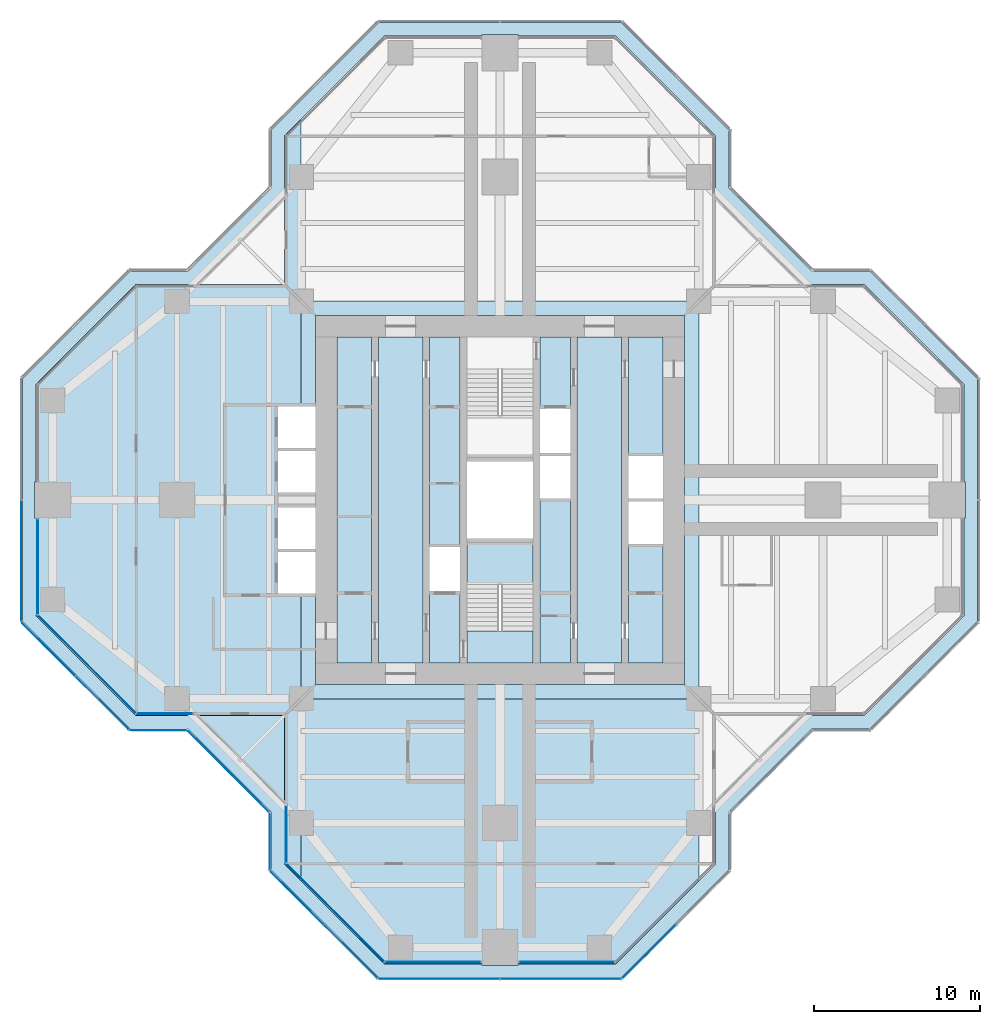
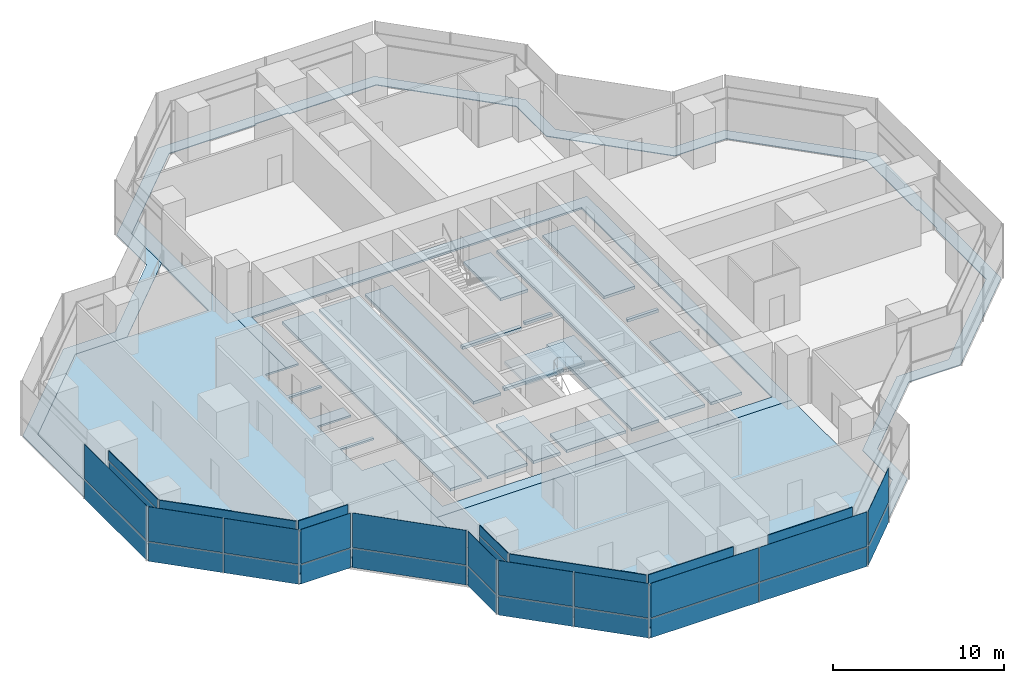
# One storey, part 10 of 17: 37 plates, 7 slabs, 16 elements without a shape of their own.
"""IFC4 building model written with IfcOpenShell, lengths in metres."""

from ifc_helpers import new_model, si_unit, direction, frame, origin, origin_2d, place, context, subcontext, project, spatial, polyline, rectangle, outline, extrude, material, layer, layer_set, type_object, element, aggregate, save


model = new_model("IFC4")

# Units and contexts
model_context = context("Model", 3, precision=1e-05, world=origin(), true_north=direction((0.0, 1.0)))
body_context = subcontext(model_context, "Body", "Model", "MODEL_VIEW")
ifc_project = project(units=[si_unit("LENGTHUNIT", "METRE"), si_unit("AREAUNIT", "SQUARE_METRE"), si_unit("VOLUMEUNIT", "CUBIC_METRE"), si_unit("PLANEANGLEUNIT", "RADIAN"), si_unit("MASSUNIT", "GRAM", prefix="KILO")], contexts=[model_context])

# Site, building, storey
site_placement = place(None, origin())
site = spatial("IfcSite", under=ifc_project, at=site_placement, CompositionType="ELEMENT")
building_placement = place(site_placement, origin())
building = spatial("IfcBuilding", under=site, at=building_placement, Name="Mizan Broadcast Tower", CompositionType="ELEMENT")
storey_placement = place(building_placement, frame((0.0, 0.0, 224.39990234375)))
storey = spatial("IfcBuildingStorey", under=building, at=storey_placement, Name="L52", CompositionType="ELEMENT", Elevation=224.39990234375)

# Plate
ifc_material_1 = material(Name="Aluminium grating", Category="aluminium")
ifc_layer_1 = layer(ifc_material_1, 0.050048828125)
ifc_layer_set_1 = layer_set([ifc_layer_1], Name="Aluminium grating")
plate_type_1 = type_object("IfcPlateType", Name="CAVITY GRATING", PredefinedType="USERDEFINED", material=ifc_layer_set_1)
plate_1_placement = place(storey_placement, frame((0.0, 0.0, -0.0498046875)))
element("IfcPlate", 1, at=plate_1_placement, inside=storey, type_object=plate_type_1, Name="Cavity grating L52", ObjectType="GRATING", PredefinedType="USERDEFINED", context=body_context, shape_type="SweptSolid", body=[
    extrude(outline(polyline([(13.820068359375, -18.839599609375), (18.839599609375, -13.820068359375), (22.339599609375, -13.820068359375), (28.820068359375, -7.339599609375), (28.820068359375, 7.339599609375), (22.339599609375, 13.820068359375), (18.839599609375, 13.820068359375), (13.820068359375, 18.839599609375), (13.820068359375, 22.339599609375), (7.339599609375, 28.820068359375), (-7.339599609375, 28.820068359375), (-13.820068359375, 22.339599609375), (-13.820068359375, 18.839599609375), (-18.839599609375, 13.820068359375), (-22.339599609375, 13.820068359375), (-28.820068359375, 7.339599609375), (-28.820068359375, -7.339599609375), (-22.339599609375, -13.820068359375), (-18.839599609375, -13.820068359375), (-13.820068359375, -18.839599609375), (-13.820068359375, -22.339599609375), (-7.339599609375, -28.820068359375), (7.339599609375, -28.820068359375), (13.820068359375, -22.339599609375), (13.820068359375, -18.839599609375)]), holes=[polyline([(28.0, -1.10009765625), (28.0, -7.0), (22.0, -13.0), (18.5, -13.0), (13.0, -18.5), (13.0, -22.0), (7.0, -28.0), (1.10009765625, -28.0), (1.10009765625, -28.10009765625), (-1.10009765625, -28.10009765625), (-1.10009765625, -28.0), (-7.0, -28.0), (-13.0, -22.0), (-13.0, -18.5), (-18.5, -13.0), (-22.0, -13.0), (-28.0, -7.0), (-28.0, -1.10009765625), (-28.10009765625, -1.10009765625), (-28.10009765625, 1.10009765625), (-28.0, 1.10009765625), (-28.0, 7.0), (-22.0, 13.0), (-18.5, 13.0), (-13.0, 18.5), (-13.0, 22.0), (-7.0, 28.0), (-1.10009765625, 28.0), (-1.10009765625, 28.10009765625), (1.10009765625, 28.10009765625), (1.10009765625, 28.0), (7.0, 28.0), (13.0, 22.0), (13.0, 18.5), (18.5, 13.0), (22.0, 13.0), (28.0, 7.0), (28.0, 1.10009765625), (28.10009765625, 1.10009765625), (28.10009765625, -1.10009765625), (28.0, -1.10009765625)])]), origin(), (0.0, 0.0, 1.0), 0.0498046875),
])

# Slabs
ifc_material_2 = material(Name="Concrete C32/40", Category="concrete")
ifc_layer_2 = layer(ifc_material_2, 0.1298828125)
ifc_layer_set_2 = layer_set([ifc_layer_2], Name="Concrete C32/40")
slab_type_1 = type_object("IfcSlabType", Name="COMPOSITE DECK SLAB 130", PredefinedType="FLOOR", material=ifc_layer_set_2)
slab_1_placement = place(storey_placement, frame((0.0, 0.0, -0.1298828125)))
element("IfcSlab", 2, at=slab_1_placement, inside=storey, type_object=slab_type_1, Name="Floor slab L52 centre", PredefinedType="FLOOR", context=body_context, shape_type="SweptSolid", body=[
    extrude(outline(polyline([(-11.14990234375, -5.64990234375), (-12.0, -5.64990234375), (-12.0, -12.0), (12.0, -12.0), (12.0, 12.0), (-12.0, 12.0), (-12.0, 5.64990234375), (-11.14990234375, 5.64990234375), (-11.14990234375, 11.14990234375), (11.14990234375, 11.14990234375), (11.14990234375, -11.14990234375), (-11.14990234375, -11.14990234375), (-11.14990234375, -5.64990234375)])), origin(), (0.0, 0.0, 1.0), 0.1298828125),
])
slab_2_placement = place(storey_placement, frame((0.0, 0.0, -0.1298828125)))
element("IfcSlab", 3, at=slab_2_placement, inside=storey, type_object=slab_type_1, Name="Floor slab L52 west arm", PredefinedType="FLOOR", context=body_context, shape_type="SweptSolid", body=[
    extrude(outline(polyline([(-22.0, 13.0), (-28.0, 7.0), (-28.0, -7.0), (-22.0, -13.0), (-13.0, -13.0), (-13.0, -22.0), (-12.0, -23.0), (-12.0, -5.64990234375), (-13.39990234375, -5.64990234375), (-13.39990234375, -3.14990234375), (-11.14990234375, -3.14990234375), (-11.14990234375, -2.949951171875), (-13.39990234375, -2.949951171875), (-13.39990234375, -0.449951171875), (-11.14990234375, -0.449951171875), (-11.14990234375, 0.449951171875), (-13.39990234375, 0.449951171875), (-13.39990234375, 2.949951171875), (-11.14990234375, 2.949951171875), (-11.14990234375, 3.14990234375), (-13.39990234375, 3.14990234375), (-13.39990234375, 5.64990234375), (-12.0, 5.64990234375), (-12.0, 23.0), (-13.0, 22.0), (-13.0, 13.0), (-22.0, 13.0)])), origin(), (0.0, 0.0, 1.0), 0.1298828125),
])
slab_3_placement = place(storey_placement, frame((0.0, 0.0, -0.1298828125)))
element("IfcSlab", 4, at=slab_3_placement, inside=storey, type_object=slab_type_1, Name="Floor slab L52 south arm", PredefinedType="FLOOR", context=body_context, shape_type="SweptSolid", body=[
    extrude(outline(polyline([(7.0, -28.0), (12.0, -23.0), (12.0, -12.0), (-12.0, -12.0), (-12.0, -23.0), (-7.0, -28.0), (7.0, -28.0)])), origin(), (0.0, 0.0, 1.0), 0.1298828125),
])
ifc_material_3 = material(Name="Concrete C40/50", Category="concrete")
ifc_layer_3 = layer(ifc_material_3, 0.199951171875)
ifc_layer_set_3 = layer_set([ifc_layer_3], Name="Concrete C40/50")
slab_type_2 = type_object("IfcSlabType", Name="CORE FLOOR 200", PredefinedType="FLOOR", material=ifc_layer_set_3)
slab_4_placement = place(storey_placement, frame((0.0, 0.0, -0.199951171875)))
element("IfcSlab", 5, at=slab_4_placement, inside=storey, type_object=slab_type_2, Name="Core floor L52", PredefinedType="FLOOR", context=body_context, shape_type="SweptSolid", body=[
    extrude(outline(polyline([(-9.85009765625, -9.85009765625), (-7.75, -9.85009765625), (-7.75, 9.85009765625), (-9.85009765625, 9.85009765625), (-9.85009765625, -9.85009765625)])), origin(), (0.0, 0.0, 1.0), 0.199951171875),
    extrude(outline(polyline([(-4.64990234375, 9.85009765625), (-7.35009765625, 9.85009765625), (-7.35009765625, -9.85009765625), (-4.64990234375, -9.85009765625), (-4.64990234375, 9.85009765625)])), origin(), (0.0, 0.0, 1.0), 0.199951171875),
    extrude(outline(polyline([(-4.25, -5.5), (-4.25, -9.85009765625), (-2.39990234375, -9.85009765625), (-2.39990234375, -5.5), (-4.25, -5.5)])), origin(), (0.0, 0.0, 1.0), 0.199951171875),
    extrude(outline(polyline([(-4.25, -2.85009765625), (-2.39990234375, -2.85009765625), (-2.39990234375, 9.85009765625), (-4.25, 9.85009765625), (-4.25, -2.85009765625)])), origin(), (0.0, 0.0, 1.0), 0.199951171875),
    extrude(outline(polyline([(2.0, -2.324951171875), (-2.0, -2.324951171875), (-2.0, -2.574951171875), (2.0, -2.574951171875), (2.0, -2.324951171875)])), origin(), (0.0, 0.0, 1.0), 0.199951171875),
    extrude(outline(polyline([(2.0, 2.574951171875), (-2.0, 2.574951171875), (-2.0, 2.324951171875), (2.0, 2.324951171875), (2.0, 2.574951171875)])), origin(), (0.0, 0.0, 1.0), 0.199951171875),
    extrude(outline(polyline([(4.25, -9.85009765625), (4.25, 0.10009765625), (2.39990234375, 0.10009765625), (2.39990234375, -9.85009765625), (4.25, -9.85009765625)])), origin(), (0.0, 0.0, 1.0), 0.199951171875),
    extrude(outline(polyline([(4.25, 2.64990234375), (4.25, 2.85009765625), (2.39990234375, 2.85009765625), (2.39990234375, 2.64990234375), (4.25, 2.64990234375)])), origin(), (0.0, 0.0, 1.0), 0.199951171875),
    extrude(outline(polyline([(4.25, 5.5), (4.25, 9.85009765625), (2.39990234375, 9.85009765625), (2.39990234375, 5.5), (4.25, 5.5)])), origin(), (0.0, 0.0, 1.0), 0.199951171875),
    extrude(outline(polyline([(4.64990234375, 9.85009765625), (4.64990234375, -9.85009765625), (7.35009765625, -9.85009765625), (7.35009765625, 9.85009765625), (4.64990234375, 9.85009765625)])), origin(), (0.0, 0.0, 1.0), 0.199951171875),
    extrude(outline(polyline([(9.85009765625, -9.85009765625), (9.85009765625, -2.64990234375), (7.75, -2.64990234375), (7.75, -9.85009765625), (9.85009765625, -9.85009765625)])), origin(), (0.0, 0.0, 1.0), 0.199951171875),
    extrude(outline(polyline([(9.85009765625, -0.10009765625), (9.85009765625, 0.10009765625), (7.75, 0.10009765625), (7.75, -0.10009765625), (9.85009765625, -0.10009765625)])), origin(), (0.0, 0.0, 1.0), 0.199951171875),
    extrude(outline(polyline([(7.75, 9.85009765625), (7.75, 2.64990234375), (9.85009765625, 2.64990234375), (9.85009765625, 9.85009765625), (7.75, 9.85009765625)])), origin(), (0.0, 0.0, 1.0), 0.199951171875),
])

# Curtain wall, plate
ifc_material_4 = material(Name="Aluminium framed glazing", Category="aluminium")
curtain_wall_type_1 = type_object("IfcCurtainWallType", Name="INNER SKIN HIGH ZONE", PredefinedType="USERDEFINED", material=ifc_material_4)
curtain_wall_1_placement = place(storey_placement, origin())
curtain_wall_1 = element("IfcCurtainWall", 6, at=curtain_wall_1_placement, inside=storey, type_object=curtain_wall_type_1, Name="Inner skin high zone L52 W end", ObjectType="INNER SKIN HIGH ZONE", PredefinedType="USERDEFINED")
ifc_material_5 = material(Name="Double glazing, clear low-e", Category="glass")
ifc_layer_4 = layer(ifc_material_5, 0.028076171875)
ifc_layer_set_4 = layer_set([ifc_layer_4], Name="Double glazing, clear low-e")
plate_type_2 = type_object("IfcPlateType", Name="INNER SKIN GLAZING UNIT", PredefinedType="CURTAIN_PANEL", material=ifc_layer_set_4)
plate_2_placement = place(storey_placement, frame((-27.89990234375, -4.029296875, 0.0), z_axis=(0.0, 0.0, 1.0), x_axis=(0.0, -1.0, 0.0)))
plate_2 = element("IfcPlate", 7, at=plate_2_placement, type_object=plate_type_2, Name="Inner skin high zone L52 W end panel 1.1", PredefinedType="CURTAIN_PANEL", context=body_context, shape_type="SweptSolid", body=[
    extrude(rectangle(XDim=5.738525390625, YDim=0.028076171875, at=origin_2d()), origin(), (0.0, 0.0, 1.0), 3.0),
])

curtain_wall_2_placement = place(storey_placement, origin())
curtain_wall_2 = element("IfcCurtainWall", 8, at=curtain_wall_2_placement, inside=storey, type_object=curtain_wall_type_1, Name="Inner skin high zone L52 W chamfer", ObjectType="INNER SKIN HIGH ZONE", PredefinedType="USERDEFINED")
plate_3_placement = place(storey_placement, frame((-24.92919921875, -9.92919921875, 0.0), z_axis=(0.0, 0.0, 1.0), x_axis=(0.707106781187, -0.707106781187, 0.0)))
plate_3 = element("IfcPlate", 9, at=plate_3_placement, type_object=plate_type_2, Name="Inner skin high zone L52 W chamfer panel 1.1", PredefinedType="CURTAIN_PANEL", context=body_context, shape_type="SweptSolid", body=[
    extrude(rectangle(XDim=8.282470703125, YDim=0.028076171875, at=origin_2d()), origin(), (0.0, 0.0, 1.0), 3.0),
])

curtain_wall_3_placement = place(storey_placement, origin())
curtain_wall_3 = element("IfcCurtainWall", 10, at=curtain_wall_3_placement, inside=storey, type_object=curtain_wall_type_1, Name="Inner skin high zone L52 W side", ObjectType="INNER SKIN HIGH ZONE", PredefinedType="USERDEFINED")
plate_4_placement = place(storey_placement, frame((-20.229248046875, -12.89990234375, 0.0), z_axis=(0.0, 0.0, 1.0), x_axis=(1.0, 0.0, 0.0)))
plate_4 = element("IfcPlate", 11, at=plate_4_placement, type_object=plate_type_2, Name="Inner skin high zone L52 W side panel 1.1", PredefinedType="CURTAIN_PANEL", context=body_context, shape_type="SweptSolid", body=[
    extrude(rectangle(XDim=3.338623046875, YDim=0.028076171875, at=origin_2d()), origin(), (0.0, 0.0, 1.0), 3.0),
])

curtain_wall_4_placement = place(storey_placement, origin())
curtain_wall_4 = element("IfcCurtainWall", 12, at=curtain_wall_4_placement, inside=storey, type_object=curtain_wall_type_1, Name="Inner skin high zone L52 S side", ObjectType="INNER SKIN HIGH ZONE", PredefinedType="USERDEFINED")
plate_5_placement = place(storey_placement, frame((-12.89990234375, -20.229248046875, 0.0), z_axis=(0.0, 0.0, 1.0), x_axis=(0.0, -1.0, 0.0)))
plate_5 = element("IfcPlate", 13, at=plate_5_placement, type_object=plate_type_2, Name="Inner skin high zone L52 S side panel 1.1", PredefinedType="CURTAIN_PANEL", context=body_context, shape_type="SweptSolid", body=[
    extrude(rectangle(XDim=3.338623046875, YDim=0.028076171875, at=origin_2d()), origin(), (0.0, 0.0, 1.0), 3.0),
])

curtain_wall_5_placement = place(storey_placement, origin())
curtain_wall_5 = element("IfcCurtainWall", 14, at=curtain_wall_5_placement, inside=storey, type_object=curtain_wall_type_1, Name="Inner skin high zone L52 S chamfer", ObjectType="INNER SKIN HIGH ZONE", PredefinedType="USERDEFINED")
plate_6_placement = place(storey_placement, frame((-9.92919921875, -24.92919921875, 0.0), z_axis=(0.0, 0.0, 1.0), x_axis=(0.707106781187, -0.707106781187, 0.0)))
plate_6 = element("IfcPlate", 15, at=plate_6_placement, type_object=plate_type_2, Name="Inner skin high zone L52 S chamfer panel 1.1", PredefinedType="CURTAIN_PANEL", context=body_context, shape_type="SweptSolid", body=[
    extrude(rectangle(XDim=8.282470703125, YDim=0.028076171875, at=origin_2d()), origin(), (0.0, 0.0, 1.0), 3.0),
])

curtain_wall_6_placement = place(storey_placement, origin())
curtain_wall_6 = element("IfcCurtainWall", 16, at=curtain_wall_6_placement, inside=storey, type_object=curtain_wall_type_1, Name="Inner skin high zone L52 S end", ObjectType="INNER SKIN HIGH ZONE", PredefinedType="USERDEFINED")
plate_7_placement = place(storey_placement, frame((-4.029296875, -27.89990234375, 0.0), z_axis=(0.0, 0.0, 1.0), x_axis=(1.0, 0.0, 0.0)))
plate_7 = element("IfcPlate", 17, at=plate_7_placement, type_object=plate_type_2, Name="Inner skin high zone L52 S end panel 1.1", PredefinedType="CURTAIN_PANEL", context=body_context, shape_type="SweptSolid", body=[
    extrude(rectangle(XDim=5.738525390625, YDim=0.028076171875, at=origin_2d()), origin(), (0.0, 0.0, 1.0), 3.0),
])

curtain_wall_7_placement = place(storey_placement, origin())
curtain_wall_7 = element("IfcCurtainWall", 18, at=curtain_wall_7_placement, inside=storey, type_object=curtain_wall_type_1, Name="Inner skin high zone L52 S end", ObjectType="INNER SKIN HIGH ZONE", PredefinedType="USERDEFINED")
plate_8_placement = place(storey_placement, frame((4.029296875, -27.89990234375, 0.0), z_axis=(0.0, 0.0, 1.0), x_axis=(1.0, 0.0, 0.0)))
plate_8 = element("IfcPlate", 19, at=plate_8_placement, type_object=plate_type_2, Name="Inner skin high zone L52 S end panel 1.1", PredefinedType="CURTAIN_PANEL", context=body_context, shape_type="SweptSolid", body=[
    extrude(rectangle(XDim=5.738525390625, YDim=0.028076171875, at=origin_2d()), origin(), (0.0, 0.0, 1.0), 3.0),
])

# Plate
ifc_material_6 = material(Name="Insulated aluminium spandrel panel, pale anodised", Category="aluminium")
ifc_layer_5 = layer(ifc_material_6, 0.050048828125)
ifc_layer_set_5 = layer_set([ifc_layer_5], Name="Insulated aluminium spandrel panel, pale anodised")
plate_type_3 = type_object("IfcPlateType", Name="INNER SKIN SPANDREL PANEL", PredefinedType="CURTAIN_PANEL", material=ifc_layer_set_5)
plate_9_placement = place(storey_placement, frame((-27.89990234375, -4.029296875, 3.06005859375), z_axis=(0.0, 0.0, 1.0), x_axis=(0.0, -1.0, 0.0)))
plate_9 = element("IfcPlate", 20, at=plate_9_placement, type_object=plate_type_3, Name="Inner skin high zone L52 W end panel 1.2", PredefinedType="CURTAIN_PANEL", context=body_context, shape_type="SweptSolid", body=[
    extrude(rectangle(XDim=5.738525390625, YDim=0.050048828125, at=origin_2d()), origin(), (0.0, 0.0, 1.0), 0.7099609375),
])

aggregate(curtain_wall_1, [plate_2, plate_9])

plate_10_placement = place(storey_placement, frame((-24.92919921875, -9.92919921875, 3.06005859375), z_axis=(0.0, 0.0, 1.0), x_axis=(0.707106781187, -0.707106781187, 0.0)))
plate_10 = element("IfcPlate", 21, at=plate_10_placement, type_object=plate_type_3, Name="Inner skin high zone L52 W chamfer panel 1.2", PredefinedType="CURTAIN_PANEL", context=body_context, shape_type="SweptSolid", body=[
    extrude(rectangle(XDim=8.282470703125, YDim=0.050048828125, at=origin_2d()), origin(), (0.0, 0.0, 1.0), 0.7099609375),
])

aggregate(curtain_wall_2, [plate_3, plate_10])

plate_11_placement = place(storey_placement, frame((-20.229248046875, -12.89990234375, 3.06005859375), z_axis=(0.0, 0.0, 1.0), x_axis=(1.0, 0.0, 0.0)))
plate_11 = element("IfcPlate", 22, at=plate_11_placement, type_object=plate_type_3, Name="Inner skin high zone L52 W side panel 1.2", PredefinedType="CURTAIN_PANEL", context=body_context, shape_type="SweptSolid", body=[
    extrude(rectangle(XDim=3.338623046875, YDim=0.050048828125, at=origin_2d()), origin(), (0.0, 0.0, 1.0), 0.7099609375),
])

aggregate(curtain_wall_3, [plate_4, plate_11])

plate_12_placement = place(storey_placement, frame((-12.89990234375, -20.229248046875, 3.06005859375), z_axis=(0.0, 0.0, 1.0), x_axis=(0.0, -1.0, 0.0)))
plate_12 = element("IfcPlate", 23, at=plate_12_placement, type_object=plate_type_3, Name="Inner skin high zone L52 S side panel 1.2", PredefinedType="CURTAIN_PANEL", context=body_context, shape_type="SweptSolid", body=[
    extrude(rectangle(XDim=3.338623046875, YDim=0.050048828125, at=origin_2d()), origin(), (0.0, 0.0, 1.0), 0.7099609375),
])

aggregate(curtain_wall_4, [plate_5, plate_12])

plate_13_placement = place(storey_placement, frame((-9.92919921875, -24.92919921875, 3.06005859375), z_axis=(0.0, 0.0, 1.0), x_axis=(0.707106781187, -0.707106781187, 0.0)))
plate_13 = element("IfcPlate", 24, at=plate_13_placement, type_object=plate_type_3, Name="Inner skin high zone L52 S chamfer panel 1.2", PredefinedType="CURTAIN_PANEL", context=body_context, shape_type="SweptSolid", body=[
    extrude(rectangle(XDim=8.282470703125, YDim=0.050048828125, at=origin_2d()), origin(), (0.0, 0.0, 1.0), 0.7099609375),
])

aggregate(curtain_wall_5, [plate_6, plate_13])

plate_14_placement = place(storey_placement, frame((-4.029296875, -27.89990234375, 3.06005859375), z_axis=(0.0, 0.0, 1.0), x_axis=(1.0, 0.0, 0.0)))
plate_14 = element("IfcPlate", 25, at=plate_14_placement, type_object=plate_type_3, Name="Inner skin high zone L52 S end panel 1.2", PredefinedType="CURTAIN_PANEL", context=body_context, shape_type="SweptSolid", body=[
    extrude(rectangle(XDim=5.738525390625, YDim=0.050048828125, at=origin_2d()), origin(), (0.0, 0.0, 1.0), 0.7099609375),
])

aggregate(curtain_wall_6, [plate_7, plate_14])

plate_15_placement = place(storey_placement, frame((4.029296875, -27.89990234375, 3.06005859375), z_axis=(0.0, 0.0, 1.0), x_axis=(1.0, 0.0, 0.0)))
plate_15 = element("IfcPlate", 26, at=plate_15_placement, type_object=plate_type_3, Name="Inner skin high zone L52 S end panel 1.2", PredefinedType="CURTAIN_PANEL", context=body_context, shape_type="SweptSolid", body=[
    extrude(rectangle(XDim=5.738525390625, YDim=0.050048828125, at=origin_2d()), origin(), (0.0, 0.0, 1.0), 0.7099609375),
])

aggregate(curtain_wall_7, [plate_8, plate_15])

# Curtain wall, plates
ifc_material_7 = material(Name="Aluminium framed glazing", Category="aluminium")
curtain_wall_type_2 = type_object("IfcCurtainWallType", Name="OUTER SKIN", PredefinedType="USERDEFINED", material=ifc_material_7)
curtain_wall_8_placement = place(storey_placement, origin())
curtain_wall_8 = element("IfcCurtainWall", 27, at=curtain_wall_8_placement, inside=storey, type_object=curtain_wall_type_2, Name="Outer skin L52 W chamfer", ObjectType="OUTER SKIN", PredefinedType="USERDEFINED")
ifc_material_8 = material(Name="Laminated clear glass", Category="glass")
ifc_layer_6 = layer(ifc_material_8, 0.02001953125)
ifc_layer_set_6 = layer_set([ifc_layer_6], Name="Laminated clear glass")
plate_type_4 = type_object("IfcPlateType", Name="OUTER SKIN CLEAR GLASS", PredefinedType="CURTAIN_PANEL", material=ifc_layer_set_6)
plate_16_placement = place(storey_placement, frame((-27.254150390625, -9.018798828125, 0.0), z_axis=(0.0, 0.0, 1.0), x_axis=(0.707106781187, -0.707106781187, 0.0)))
plate_16 = element("IfcPlate", 28, at=plate_16_placement, type_object=plate_type_4, Name="Outer skin L52 W chamfer panel 1.1", PredefinedType="CURTAIN_PANEL", context=body_context, shape_type="SweptSolid", body=[
    extrude(rectangle(XDim=4.495361328125, YDim=0.02001953125, at=origin_2d()), origin(), (0.0, 0.0, 1.0), 1.3701171875),
])
plate_17_placement = place(storey_placement, frame((-27.254150390625, -9.018798828125, 1.43017578125), z_axis=(0.0, 0.0, 1.0), x_axis=(0.707106781187, -0.707106781187, 0.0)))
plate_17 = element("IfcPlate", 29, at=plate_17_placement, type_object=plate_type_4, Name="Outer skin L52 W chamfer panel 1.2", PredefinedType="CURTAIN_PANEL", context=body_context, shape_type="SweptSolid", body=[
    extrude(rectangle(XDim=4.495361328125, YDim=0.02001953125, at=origin_2d()), origin(), (0.0, 0.0, 1.0), 2.469970703125),
])

curtain_wall_9_placement = place(storey_placement, origin())
curtain_wall_9 = element("IfcCurtainWall", 30, at=curtain_wall_9_placement, inside=storey, type_object=curtain_wall_type_2, Name="Outer skin L52 W side", ObjectType="OUTER SKIN", PredefinedType="USERDEFINED")
plate_18_placement = place(storey_placement, frame((-20.622802734375, -13.89990234375, 0.0), z_axis=(0.0, 0.0, 1.0), x_axis=(1.0, 0.0, 0.0)))
plate_18 = element("IfcPlate", 31, at=plate_18_placement, type_object=plate_type_4, Name="Outer skin L52 W side panel 1.1", PredefinedType="CURTAIN_PANEL", context=body_context, shape_type="SweptSolid", body=[
    extrude(rectangle(XDim=3.340087890625, YDim=0.02001953125, at=origin_2d()), origin(), (0.0, 0.0, 1.0), 1.3701171875),
])
plate_19_placement = place(storey_placement, frame((-20.622802734375, -13.89990234375, 1.43017578125), z_axis=(0.0, 0.0, 1.0), x_axis=(1.0, 0.0, 0.0)))
plate_19 = element("IfcPlate", 32, at=plate_19_placement, type_object=plate_type_4, Name="Outer skin L52 W side panel 1.2", PredefinedType="CURTAIN_PANEL", context=body_context, shape_type="SweptSolid", body=[
    extrude(rectangle(XDim=3.340087890625, YDim=0.02001953125, at=origin_2d()), origin(), (0.0, 0.0, 1.0), 2.469970703125),
])
aggregate(curtain_wall_9, [plate_18, plate_19])

curtain_wall_10_placement = place(storey_placement, origin())
curtain_wall_10 = element("IfcCurtainWall", 33, at=curtain_wall_10_placement, inside=storey, type_object=curtain_wall_type_2, Name="Outer skin L52 W chamfer", ObjectType="OUTER SKIN", PredefinedType="USERDEFINED")
plate_20_placement = place(storey_placement, frame((-16.386474609375, -16.386474609375, 0.0), z_axis=(0.0, 0.0, 1.0), x_axis=(0.707106781187, -0.707106781187, 0.0)))
plate_20 = element("IfcPlate", 34, at=plate_20_placement, type_object=plate_type_4, Name="Outer skin L52 W chamfer panel 1.1", PredefinedType="CURTAIN_PANEL", context=body_context, shape_type="SweptSolid", body=[
    extrude(rectangle(XDim=6.87255859375, YDim=0.02001953125, at=origin_2d()), origin(), (0.0, 0.0, 1.0), 1.3701171875),
])
plate_21_placement = place(storey_placement, frame((-16.386474609375, -16.386474609375, 1.43017578125), z_axis=(0.0, 0.0, 1.0), x_axis=(0.707106781187, -0.707106781187, 0.0)))
plate_21 = element("IfcPlate", 35, at=plate_21_placement, type_object=plate_type_4, Name="Outer skin L52 W chamfer panel 1.2", PredefinedType="CURTAIN_PANEL", context=body_context, shape_type="SweptSolid", body=[
    extrude(rectangle(XDim=6.87255859375, YDim=0.02001953125, at=origin_2d()), origin(), (0.0, 0.0, 1.0), 2.469970703125),
])
aggregate(curtain_wall_10, [plate_20, plate_21])

curtain_wall_11_placement = place(storey_placement, origin())
curtain_wall_11 = element("IfcCurtainWall", 36, at=curtain_wall_11_placement, inside=storey, type_object=curtain_wall_type_2, Name="Outer skin L52 S side", ObjectType="OUTER SKIN", PredefinedType="USERDEFINED")
plate_22_placement = place(storey_placement, frame((-13.89990234375, -20.622802734375, 0.0), z_axis=(0.0, 0.0, 1.0), x_axis=(0.0, -1.0, 0.0)))
plate_22 = element("IfcPlate", 37, at=plate_22_placement, type_object=plate_type_4, Name="Outer skin L52 S side panel 1.1", PredefinedType="CURTAIN_PANEL", context=body_context, shape_type="SweptSolid", body=[
    extrude(rectangle(XDim=3.340087890625, YDim=0.02001953125, at=origin_2d()), origin(), (0.0, 0.0, 1.0), 1.3701171875),
])
plate_23_placement = place(storey_placement, frame((-13.89990234375, -20.622802734375, 1.43017578125), z_axis=(0.0, 0.0, 1.0), x_axis=(0.0, -1.0, 0.0)))
plate_23 = element("IfcPlate", 38, at=plate_23_placement, type_object=plate_type_4, Name="Outer skin L52 S side panel 1.2", PredefinedType="CURTAIN_PANEL", context=body_context, shape_type="SweptSolid", body=[
    extrude(rectangle(XDim=3.340087890625, YDim=0.02001953125, at=origin_2d()), origin(), (0.0, 0.0, 1.0), 2.469970703125),
])
aggregate(curtain_wall_11, [plate_22, plate_23])

curtain_wall_12_placement = place(storey_placement, origin())
curtain_wall_12 = element("IfcCurtainWall", 39, at=curtain_wall_12_placement, inside=storey, type_object=curtain_wall_type_2, Name="Outer skin L52 S chamfer", ObjectType="OUTER SKIN", PredefinedType="USERDEFINED")
plate_24_placement = place(storey_placement, frame((-12.254150390625, -24.018798828125, 0.0), z_axis=(0.0, 0.0, 1.0), x_axis=(0.707106781187, -0.707106781187, 0.0)))
plate_24 = element("IfcPlate", 40, at=plate_24_placement, type_object=plate_type_4, Name="Outer skin L52 S chamfer panel 1.1", PredefinedType="CURTAIN_PANEL", context=body_context, shape_type="SweptSolid", body=[
    extrude(rectangle(XDim=4.495361328125, YDim=0.02001953125, at=origin_2d()), origin(), (0.0, 0.0, 1.0), 1.3701171875),
])
plate_25_placement = place(storey_placement, frame((-12.254150390625, -24.018798828125, 1.43017578125), z_axis=(0.0, 0.0, 1.0), x_axis=(0.707106781187, -0.707106781187, 0.0)))
plate_25 = element("IfcPlate", 41, at=plate_25_placement, type_object=plate_type_4, Name="Outer skin L52 S chamfer panel 1.2", PredefinedType="CURTAIN_PANEL", context=body_context, shape_type="SweptSolid", body=[
    extrude(rectangle(XDim=4.495361328125, YDim=0.02001953125, at=origin_2d()), origin(), (0.0, 0.0, 1.0), 2.469970703125),
])

curtain_wall_13_placement = place(storey_placement, origin())
curtain_wall_13 = element("IfcCurtainWall", 42, at=curtain_wall_13_placement, inside=storey, type_object=curtain_wall_type_2, Name="Outer skin L52 S end", ObjectType="OUTER SKIN", PredefinedType="USERDEFINED")
plate_26_placement = place(storey_placement, frame((-3.66650390625, -28.89990234375, 0.0), z_axis=(0.0, 0.0, 1.0), x_axis=(1.0, 0.0, 0.0)))
plate_26 = element("IfcPlate", 43, at=plate_26_placement, type_object=plate_type_4, Name="Outer skin L52 S end panel 1.1", PredefinedType="CURTAIN_PANEL", context=body_context, shape_type="SweptSolid", body=[
    extrude(rectangle(XDim=7.252685546875, YDim=0.02001953125, at=origin_2d()), origin(), (0.0, 0.0, 1.0), 1.3701171875),
])
plate_27_placement = place(storey_placement, frame((-3.66650390625, -28.89990234375, 1.43017578125), z_axis=(0.0, 0.0, 1.0), x_axis=(1.0, 0.0, 0.0)))
plate_27 = element("IfcPlate", 44, at=plate_27_placement, type_object=plate_type_4, Name="Outer skin L52 S end panel 1.2", PredefinedType="CURTAIN_PANEL", context=body_context, shape_type="SweptSolid", body=[
    extrude(rectangle(XDim=7.252685546875, YDim=0.02001953125, at=origin_2d()), origin(), (0.0, 0.0, 1.0), 2.469970703125),
])

curtain_wall_14_placement = place(storey_placement, origin())
curtain_wall_14 = element("IfcCurtainWall", 45, at=curtain_wall_14_placement, inside=storey, type_object=curtain_wall_type_2, Name="Outer skin L52 S chamfer", ObjectType="OUTER SKIN", PredefinedType="USERDEFINED")
plate_28_placement = place(storey_placement, frame((9.018798828125, -27.254150390625, 0.0), z_axis=(0.0, 0.0, 1.0), x_axis=(0.707106781187, 0.707106781187, 0.0)))
plate_28 = element("IfcPlate", 46, at=plate_28_placement, type_object=plate_type_4, Name="Outer skin L52 S chamfer panel 1.1", PredefinedType="CURTAIN_PANEL", context=body_context, shape_type="SweptSolid", body=[
    extrude(rectangle(XDim=4.495361328125, YDim=0.02001953125, at=origin_2d()), origin(), (0.0, 0.0, 1.0), 1.3701171875),
])
plate_29_placement = place(storey_placement, frame((9.018798828125, -27.254150390625, 1.43017578125), z_axis=(0.0, 0.0, 1.0), x_axis=(0.707106781187, 0.707106781187, 0.0)))
plate_29 = element("IfcPlate", 47, at=plate_29_placement, type_object=plate_type_4, Name="Outer skin L52 S chamfer panel 1.2", PredefinedType="CURTAIN_PANEL", context=body_context, shape_type="SweptSolid", body=[
    extrude(rectangle(XDim=4.495361328125, YDim=0.02001953125, at=origin_2d()), origin(), (0.0, 0.0, 1.0), 2.469970703125),
])
aggregate(curtain_wall_14, [plate_28, plate_29])

curtain_wall_15_placement = place(storey_placement, origin())
curtain_wall_15 = element("IfcCurtainWall", 48, at=curtain_wall_15_placement, inside=storey, type_object=curtain_wall_type_2, Name="Outer skin L52 W end", ObjectType="OUTER SKIN", PredefinedType="USERDEFINED")
ifc_material_9 = material(Name="Perforated aluminium, pale anodised", Category="aluminium")
ifc_layer_7 = layer(ifc_material_9, 0.011962890625)
ifc_layer_set_7 = layer_set([ifc_layer_7], Name="Perforated aluminium, pale anodised")
plate_type_5 = type_object("IfcPlateType", Name="OUTER SKIN PERFORATED SCREEN", PredefinedType="USERDEFINED", material=ifc_layer_set_7)
plate_30_placement = place(storey_placement, frame((-28.89990234375, -3.66650390625, 0.0), z_axis=(0.0, 0.0, 1.0), x_axis=(0.0, -1.0, 0.0)))
plate_30 = element("IfcPlate", 49, at=plate_30_placement, type_object=plate_type_5, Name="Outer skin L52 W end panel 2.1", ObjectType="SCREEN", PredefinedType="USERDEFINED", context=body_context, shape_type="SweptSolid", body=[
    extrude(rectangle(XDim=7.252685546875, YDim=0.011962890625, at=origin_2d()), origin(), (0.0, 0.0, 1.0), 1.3701171875),
])
plate_31_placement = place(storey_placement, frame((-28.89990234375, -3.66650390625, 1.43017578125), z_axis=(0.0, 0.0, 1.0), x_axis=(0.0, -1.0, 0.0)))
plate_31 = element("IfcPlate", 50, at=plate_31_placement, type_object=plate_type_5, Name="Outer skin L52 W end panel 2.2", ObjectType="SCREEN", PredefinedType="USERDEFINED", context=body_context, shape_type="SweptSolid", body=[
    extrude(rectangle(XDim=7.252685546875, YDim=0.011962890625, at=origin_2d()), origin(), (0.0, 0.0, 1.0), 2.469970703125),
])
aggregate(curtain_wall_15, [plate_30, plate_31])

# Plate
plate_32_placement = place(storey_placement, frame((-24.018798828125, -12.254150390625, 0.0), z_axis=(0.0, 0.0, 1.0), x_axis=(0.707106781187, -0.707106781187, 0.0)))
plate_32 = element("IfcPlate", 51, at=plate_32_placement, type_object=plate_type_5, Name="Outer skin L52 W chamfer panel 2.1", ObjectType="SCREEN", PredefinedType="USERDEFINED", context=body_context, shape_type="SweptSolid", body=[
    extrude(rectangle(XDim=4.495361328125, YDim=0.011962890625, at=origin_2d()), origin(), (0.0, 0.0, 1.0), 1.3701171875),
])

plate_33_placement = place(storey_placement, frame((-24.018798828125, -12.254150390625, 1.43017578125), z_axis=(0.0, 0.0, 1.0), x_axis=(0.707106781187, -0.707106781187, 0.0)))
plate_33 = element("IfcPlate", 52, at=plate_33_placement, type_object=plate_type_5, Name="Outer skin L52 W chamfer panel 2.2", ObjectType="SCREEN", PredefinedType="USERDEFINED", context=body_context, shape_type="SweptSolid", body=[
    extrude(rectangle(XDim=4.495361328125, YDim=0.011962890625, at=origin_2d()), origin(), (0.0, 0.0, 1.0), 2.469970703125),
])

aggregate(curtain_wall_8, [plate_16, plate_17, plate_32, plate_33])

plate_34_placement = place(storey_placement, frame((-9.018798828125, -27.254150390625, 0.0), z_axis=(0.0, 0.0, 1.0), x_axis=(0.707106781187, -0.707106781187, 0.0)))
plate_34 = element("IfcPlate", 53, at=plate_34_placement, type_object=plate_type_5, Name="Outer skin L52 S chamfer panel 2.1", ObjectType="SCREEN", PredefinedType="USERDEFINED", context=body_context, shape_type="SweptSolid", body=[
    extrude(rectangle(XDim=4.495361328125, YDim=0.011962890625, at=origin_2d()), origin(), (0.0, 0.0, 1.0), 1.3701171875),
])

plate_35_placement = place(storey_placement, frame((-9.018798828125, -27.254150390625, 1.43017578125), z_axis=(0.0, 0.0, 1.0), x_axis=(0.707106781187, -0.707106781187, 0.0)))
plate_35 = element("IfcPlate", 54, at=plate_35_placement, type_object=plate_type_5, Name="Outer skin L52 S chamfer panel 2.2", ObjectType="SCREEN", PredefinedType="USERDEFINED", context=body_context, shape_type="SweptSolid", body=[
    extrude(rectangle(XDim=4.495361328125, YDim=0.011962890625, at=origin_2d()), origin(), (0.0, 0.0, 1.0), 2.469970703125),
])

aggregate(curtain_wall_12, [plate_24, plate_25, plate_34, plate_35])

plate_36_placement = place(storey_placement, frame((3.66650390625, -28.89990234375, 0.0), z_axis=(0.0, 0.0, 1.0), x_axis=(1.0, 0.0, 0.0)))
plate_36 = element("IfcPlate", 55, at=plate_36_placement, type_object=plate_type_5, Name="Outer skin L52 S end panel 2.1", ObjectType="SCREEN", PredefinedType="USERDEFINED", context=body_context, shape_type="SweptSolid", body=[
    extrude(rectangle(XDim=7.252685546875, YDim=0.011962890625, at=origin_2d()), origin(), (0.0, 0.0, 1.0), 1.3701171875),
])

plate_37_placement = place(storey_placement, frame((3.66650390625, -28.89990234375, 1.43017578125), z_axis=(0.0, 0.0, 1.0), x_axis=(1.0, 0.0, 0.0)))
plate_37 = element("IfcPlate", 56, at=plate_37_placement, type_object=plate_type_5, Name="Outer skin L52 S end panel 2.2", ObjectType="SCREEN", PredefinedType="USERDEFINED", context=body_context, shape_type="SweptSolid", body=[
    extrude(rectangle(XDim=7.252685546875, YDim=0.011962890625, at=origin_2d()), origin(), (0.0, 0.0, 1.0), 2.469970703125),
])

aggregate(curtain_wall_13, [plate_26, plate_27, plate_36, plate_37])

# Stair, slabs
ifc_material_10 = material(Name="Concrete C40/50", Category="concrete")
stair_type = type_object("IfcStairType", Name="EXIT STAIR", PredefinedType="HALF_TURN_STAIR", material=ifc_material_10)
stair_placement = place(storey_placement, origin())
stair = element("IfcStair", 57, at=stair_placement, inside=storey, type_object=stair_type, Name="Stair A L52", PredefinedType="HALF_TURN_STAIR")
ifc_material_11 = material(Name="Concrete C40/50", Category="concrete")
ifc_layer_8 = layer(ifc_material_11, 0.199951171875)
ifc_layer_set_8 = layer_set([ifc_layer_8], Name="Concrete C40/50")
slab_type_3 = type_object("IfcSlabType", Name="STAIR LANDING 200", PredefinedType="LANDING", material=ifc_layer_set_8)
slab_5_placement = place(storey_placement, frame((0.0, 0.0, -0.199951171875)))
slab_5 = element("IfcSlab", 58, at=slab_5_placement, type_object=slab_type_3, Name="A landing 1", PredefinedType="LANDING", context=body_context, shape_type="SweptSolid", body=[
    extrude(outline(polyline([(-2.0, -9.85009765625), (-2.0, -7.89990234375), (2.0, -7.89990234375), (2.0, -9.85009765625), (-2.0, -9.85009765625)])), origin(), (0.0, 0.0, 1.0), 0.199951171875),
])
slab_6_placement = place(storey_placement, frame((0.0, 0.0, 1.75)))
slab_6 = element("IfcSlab", 59, at=slab_6_placement, type_object=slab_type_3, Name="A landing 2", PredefinedType="LANDING", context=body_context, shape_type="SweptSolid", body=[
    extrude(outline(polyline([(-2.0, -5.10009765625), (-2.0, -2.574951171875), (2.0, -2.574951171875), (2.0, -5.10009765625), (-2.0, -5.10009765625)])), origin(), (0.0, 0.0, 1.0), 0.2001953125),
])
aggregate(stair, [slab_5, slab_6])

# Slab
ifc_material_12 = material(Name="Concrete C32/40", Category="concrete")
ifc_layer_9 = layer(ifc_material_12, 0.1298828125)
ifc_layer_set_9 = layer_set([ifc_layer_9], Name="Concrete C32/40")
slab_type_4 = type_object("IfcSlabType", Name="WINTER GARDEN SLAB 130", PredefinedType="FLOOR", material=ifc_layer_set_9)
slab_7_placement = place(storey_placement, frame((0.0, 0.0, -0.1298828125)))
element("IfcSlab", 60, at=slab_7_placement, inside=storey, type_object=slab_type_4, Name="Winter garden slab L52 W", PredefinedType="FLOOR", context=body_context, shape_type="SweptSolid", body=[
    extrude(outline(polyline([(-13.0, -13.0), (-18.5, -13.0), (-13.0, -18.5), (-13.0, -13.0)])), origin(), (0.0, 0.0, 1.0), 0.1298828125),
])

save(model, "model.ifc")
